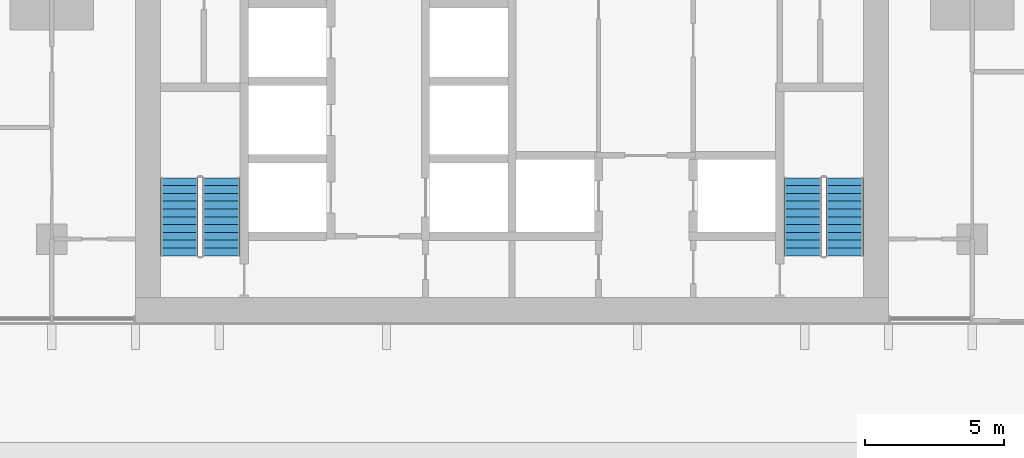
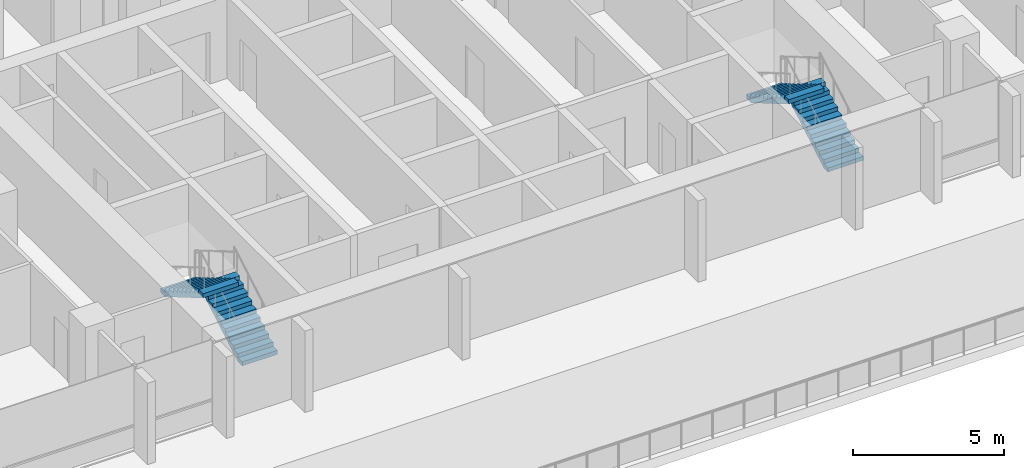
# One storey, part 18 of 25: 4 stair flights, 2 elements without a shape of their own.
"""IFC4 building model written with IfcOpenShell, lengths in metres."""

from ifc_helpers import new_model, si_unit, direction, frame, origin, place, context, subcontext, project, spatial, polyline, outline, extrude, material, type_object, element, aggregate, save


model = new_model("IFC4")

# Units and contexts
model_context = context("Model", 3, precision=1e-05, world=origin(), true_north=direction((0.0, 1.0)))
body_context = subcontext(model_context, "Body", "Model", "MODEL_VIEW")
ifc_project = project(units=[si_unit("LENGTHUNIT", "METRE"), si_unit("AREAUNIT", "SQUARE_METRE"), si_unit("VOLUMEUNIT", "CUBIC_METRE"), si_unit("PLANEANGLEUNIT", "RADIAN"), si_unit("MASSUNIT", "GRAM", prefix="KILO")], contexts=[model_context])

# Site, building, storey
site_placement = place(None, origin())
site = spatial("IfcSite", under=ifc_project, at=site_placement, CompositionType="ELEMENT")
building_placement = place(site_placement, origin())
building = spatial("IfcBuilding", under=site, at=building_placement, Name="Finial Court Residences", CompositionType="ELEMENT")
storey_placement = place(building_placement, frame((0.0, 0.0, 32.5)))
storey = spatial("IfcBuildingStorey", under=building, at=storey_placement, Name="L06", CompositionType="ELEMENT", Elevation=32.5)

# Stair, stair flights
ifc_material = material(Name="Concrete C50/60", Category="concrete")
stair_type = type_object("IfcStairType", Name="Exit stair 22 risers of 163.6 mm", PredefinedType="HALF_TURN_STAIR", material=ifc_material)
stair_1_placement = place(storey_placement, origin())
stair_1 = element("IfcStair", 1, at=stair_1_placement, inside=storey, type_object=stair_type, Name="L06 Exit stair ST-1", PredefinedType="HALF_TURN_STAIR")
stair_flight_type = type_object("IfcStairFlightType", Name="Exit stair flight", PredefinedType="STRAIGHT", material=ifc_material)
stair_flight_1_placement = place(storey_placement, frame((-10.425048828125, -23.10009765625, 0.0), z_axis=(0.0, 0.0, 1.0), x_axis=(0.0, 1.0, 0.0)))
stair_flight_1 = element("IfcStairFlight", 2, at=stair_flight_1_placement, type_object=stair_flight_type, Name="ST-1 flight 1", NumberOfRisers=11, NumberOfTreads=10, PredefinedType="STRAIGHT", RiserHeight=0.163636364, TreadLength=0.28, context=body_context, shape_type="SweptSolid", body=[
    extrude(outline(polyline([(0.0, 0.0), (0.0, 0.16357421875), (0.280029296875, 0.16357421875), (0.280029296875, 0.327392578125), (0.56005859375, 0.327392578125), (0.56005859375, 0.490966796875), (0.840087890625, 0.490966796875), (0.840087890625, 0.654541015625), (1.1201171875, 0.654541015625), (1.1201171875, 0.818115234375), (1.39990234375, 0.818115234375), (1.39990234375, 0.98193359375), (1.679931640625, 0.98193359375), (1.679931640625, 1.1455078125), (1.9599609375, 1.1455078125), (1.9599609375, 1.30908203125), (2.239990234375, 1.30908203125), (2.239990234375, 1.47265625), (2.52001953125, 1.47265625), (2.52001953125, 1.636474609375), (2.800048828125, 1.636474609375), (2.800048828125, 1.800048828125), (2.800048828125, 1.462646484375), (0.297119140625, 0.0), (0.0, 0.0)])), frame((0.0, 0.675048828125, 0.0), z_axis=(0.0, -1.0, 0.0), x_axis=(1.0, 0.0, 0.0)), (0.0, 0.0, 1.0), 1.35009765625),
])
stair_flight_2_placement = place(storey_placement, frame((-11.925048828125, -20.300048828125, 1.800048828125), z_axis=(0.0, 0.0, 1.0), x_axis=(0.0, -1.0, 0.0)))
stair_flight_2 = element("IfcStairFlight", 3, at=stair_flight_2_placement, type_object=stair_flight_type, Name="ST-1 flight 2", NumberOfRisers=11, NumberOfTreads=10, PredefinedType="STRAIGHT", RiserHeight=0.163636364, TreadLength=0.28, context=body_context, shape_type="SweptSolid", body=[
    extrude(outline(polyline([(0.0, 0.0), (0.0, 0.16357421875), (0.280029296875, 0.16357421875), (0.280029296875, 0.327392578125), (0.56005859375, 0.327392578125), (0.56005859375, 0.490966796875), (0.840087890625, 0.490966796875), (0.840087890625, 0.654541015625), (1.1201171875, 0.654541015625), (1.1201171875, 0.818115234375), (1.39990234375, 0.818115234375), (1.39990234375, 0.98193359375), (1.679931640625, 0.98193359375), (1.679931640625, 1.1455078125), (1.9599609375, 1.1455078125), (1.9599609375, 1.30908203125), (2.239990234375, 1.30908203125), (2.239990234375, 1.47265625), (2.52001953125, 1.47265625), (2.52001953125, 1.636474609375), (2.800048828125, 1.636474609375), (2.800048828125, 1.800048828125), (2.800048828125, 1.462646484375), (0.297119140625, 0.0), (0.0, 0.0)])), frame((0.0, 0.675048828125, 0.0), z_axis=(0.0, -1.0, 0.0), x_axis=(1.0, 0.0, 0.0)), (0.0, 0.0, 1.0), 1.35009765625),
])
aggregate(stair_1, [stair_flight_1, stair_flight_2])

stair_2_placement = place(storey_placement, origin())
stair_2 = element("IfcStair", 4, at=stair_2_placement, inside=storey, type_object=stair_type, Name="L06 Exit stair ST-2", PredefinedType="HALF_TURN_STAIR")
stair_flight_3_placement = place(storey_placement, frame((11.925048828125, -23.10009765625, 0.0), z_axis=(0.0, 0.0, 1.0), x_axis=(0.0, 1.0, 0.0)))
stair_flight_3 = element("IfcStairFlight", 5, at=stair_flight_3_placement, type_object=stair_flight_type, Name="ST-2 flight 1", NumberOfRisers=11, NumberOfTreads=10, PredefinedType="STRAIGHT", RiserHeight=0.163636364, TreadLength=0.28, context=body_context, shape_type="SweptSolid", body=[
    extrude(outline(polyline([(0.0, 0.0), (0.0, 0.16357421875), (0.280029296875, 0.16357421875), (0.280029296875, 0.327392578125), (0.56005859375, 0.327392578125), (0.56005859375, 0.490966796875), (0.840087890625, 0.490966796875), (0.840087890625, 0.654541015625), (1.1201171875, 0.654541015625), (1.1201171875, 0.818115234375), (1.39990234375, 0.818115234375), (1.39990234375, 0.98193359375), (1.679931640625, 0.98193359375), (1.679931640625, 1.1455078125), (1.9599609375, 1.1455078125), (1.9599609375, 1.30908203125), (2.239990234375, 1.30908203125), (2.239990234375, 1.47265625), (2.52001953125, 1.47265625), (2.52001953125, 1.636474609375), (2.800048828125, 1.636474609375), (2.800048828125, 1.800048828125), (2.800048828125, 1.462646484375), (0.297119140625, 0.0), (0.0, 0.0)])), frame((0.0, 0.675048828125, 0.0), z_axis=(0.0, -1.0, 0.0), x_axis=(1.0, 0.0, 0.0)), (0.0, 0.0, 1.0), 1.35009765625),
])
stair_flight_4_placement = place(storey_placement, frame((10.425048828125, -20.300048828125, 1.800048828125), z_axis=(0.0, 0.0, 1.0), x_axis=(0.0, -1.0, 0.0)))
stair_flight_4 = element("IfcStairFlight", 6, at=stair_flight_4_placement, type_object=stair_flight_type, Name="ST-2 flight 2", NumberOfRisers=11, NumberOfTreads=10, PredefinedType="STRAIGHT", RiserHeight=0.163636364, TreadLength=0.28, context=body_context, shape_type="SweptSolid", body=[
    extrude(outline(polyline([(0.0, 0.0), (0.0, 0.16357421875), (0.280029296875, 0.16357421875), (0.280029296875, 0.327392578125), (0.56005859375, 0.327392578125), (0.56005859375, 0.490966796875), (0.840087890625, 0.490966796875), (0.840087890625, 0.654541015625), (1.1201171875, 0.654541015625), (1.1201171875, 0.818115234375), (1.39990234375, 0.818115234375), (1.39990234375, 0.98193359375), (1.679931640625, 0.98193359375), (1.679931640625, 1.1455078125), (1.9599609375, 1.1455078125), (1.9599609375, 1.30908203125), (2.239990234375, 1.30908203125), (2.239990234375, 1.47265625), (2.52001953125, 1.47265625), (2.52001953125, 1.636474609375), (2.800048828125, 1.636474609375), (2.800048828125, 1.800048828125), (2.800048828125, 1.462646484375), (0.297119140625, 0.0), (0.0, 0.0)])), frame((0.0, 0.675048828125, 0.0), z_axis=(0.0, -1.0, 0.0), x_axis=(1.0, 0.0, 0.0)), (0.0, 0.0, 1.0), 1.35009765625),
])
aggregate(stair_2, [stair_flight_3, stair_flight_4])

save(model, "model.ifc")
